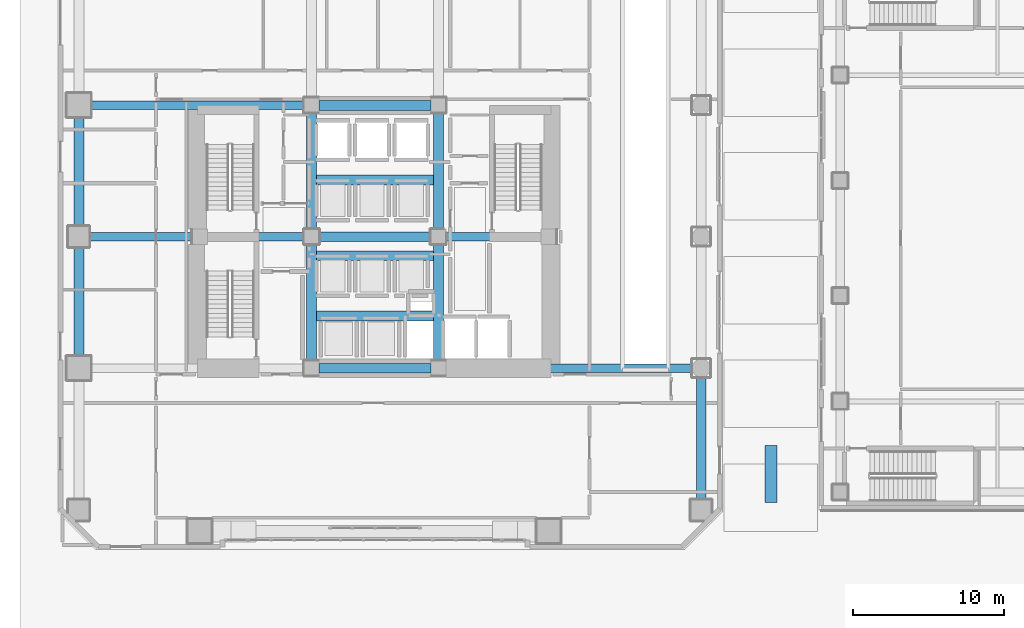
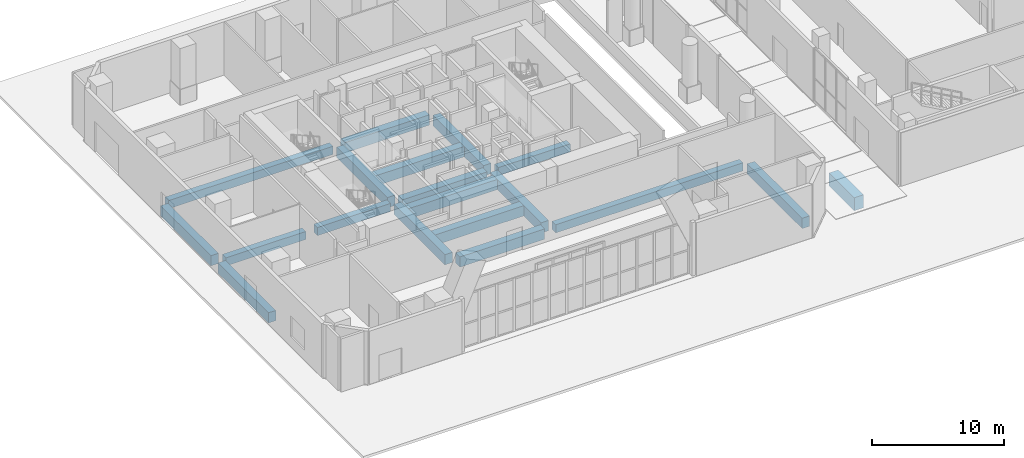
# One storey, part 7 of 30: 19 beams.
"""IFC4 building model written with IfcOpenShell, lengths in metres."""

from ifc_helpers import new_model, si_unit, direction, frame, origin, origin_2d, place, context, subcontext, project, spatial, rectangle, extrude, material, material_profile, profile_set, type_object, element, save


model = new_model("IFC4")

# Units and contexts
model_context = context("Model", 3, precision=1e-05, world=origin(), true_north=direction((0.0, 1.0)))
body_context = subcontext(model_context, "Body", "Model", "MODEL_VIEW")
ifc_project = project(units=[si_unit("LENGTHUNIT", "METRE"), si_unit("AREAUNIT", "SQUARE_METRE"), si_unit("VOLUMEUNIT", "CUBIC_METRE"), si_unit("PLANEANGLEUNIT", "RADIAN"), si_unit("MASSUNIT", "GRAM", prefix="KILO")], contexts=[model_context])

# Site, building, storey
site_placement = place(None, origin())
site = spatial("IfcSite", under=ifc_project, at=site_placement, CompositionType="ELEMENT")
building_placement = place(site_placement, origin())
building = spatial("IfcBuilding", under=site, at=building_placement, Name="Solanera Arch Residences", CompositionType="ELEMENT")
storey_placement = place(building_placement, origin())
storey = spatial("IfcBuildingStorey", under=building, at=storey_placement, Name="L00", CompositionType="ELEMENT", Elevation=0.0)

# Beams
ifc_material_1 = material(Name="Concrete C40/50 (f'c = 45 MPa)", Category="concrete")
ifc_material_profile_1 = material_profile(ifc_material_1, rectangle(XDim=0.550048828125, YDim=0.75, at=origin_2d()))
ifc_profile_set_1 = profile_set([ifc_material_profile_1], Name="Concrete C40/50 (f'c = 45 MPa)")
beam_type_1 = type_object("IfcBeamType", Name="Primary Beam RC-BM-550X750", PredefinedType="BEAM", material=ifc_profile_set_1)
beam_1_placement = place(storey_placement, frame((29.7041015625, 22.0, -0.794921875), z_axis=(1.0, 0.0, 0.0), x_axis=(0.0, 1.0, 0.0)))
element("IfcBeam", 1, at=beam_1_placement, inside=storey, type_object=beam_type_1, Name="BM-L00-POD-RE-22", PredefinedType="BEAM", context=body_context, shape_type="SweptSolid", body=[
    extrude(rectangle(XDim=0.550048828125, YDim=0.75, at=origin_2d()), origin(), (0.0, 0.0, 1.0), 16.35595703125),
])
beam_2_placement = place(storey_placement, frame((5.93994140625, 30.699951171875, -0.794921875), z_axis=(1.0, 0.0, 0.0), x_axis=(0.0, 1.0, 0.0)))
element("IfcBeam", 2, at=beam_2_placement, inside=storey, type_object=beam_type_1, Name="BM-L00-POD-RW-30", PredefinedType="BEAM", context=body_context, shape_type="SweptSolid", body=[
    extrude(rectangle(XDim=0.550048828125, YDim=0.75, at=origin_2d()), origin(), (0.0, 0.0, 1.0), 6.9560546875),
])
beam_3_placement = place(storey_placement, frame((5.93994140625, 39.39990234375, -0.794921875), z_axis=(1.0, 0.0, 0.0), x_axis=(0.0, 1.0, 0.0)))
element("IfcBeam", 3, at=beam_3_placement, inside=storey, type_object=beam_type_1, Name="BM-L00-POD-RW-39", PredefinedType="BEAM", context=body_context, shape_type="SweptSolid", body=[
    extrude(rectangle(XDim=0.550048828125, YDim=0.75, at=origin_2d()), origin(), (0.0, 0.0, 1.0), 14.35595703125),
])
beam_4_placement = place(storey_placement, frame((13.904052734375, 30.699951171875, -0.794921875), z_axis=(1.0, 0.0, 0.0), x_axis=(0.0, 1.0, 0.0)))
element("IfcBeam", 4, at=beam_4_placement, inside=storey, type_object=beam_type_1, Name="BM-L00-HCCW", PredefinedType="BEAM", context=body_context, shape_type="SweptSolid", body=[
    extrude(rectangle(XDim=0.550048828125, YDim=0.75, at=origin_2d()), origin(), (0.0, 0.0, 1.0), 6.391845703125),
])
beam_5_placement = place(storey_placement, frame((29.7041015625, 30.699951171875, -0.794921875), z_axis=(1.0, 0.0, 0.0), x_axis=(0.0, 1.0, 0.0)))
element("IfcBeam", 5, at=beam_5_placement, inside=storey, type_object=beam_type_1, Name="BM-L00-HCCE", PredefinedType="BEAM", context=body_context, shape_type="SweptSolid", body=[
    extrude(rectangle(XDim=0.550048828125, YDim=0.75, at=origin_2d()), origin(), (0.0, 0.0, 1.0), 6.2919921875),
])
ifc_material_2 = material(Name="Concrete C40/50 (f'c = 45 MPa)", Category="concrete")
ifc_material_profile_2 = material_profile(ifc_material_2, rectangle(XDim=0.64990234375, YDim=0.949951171875, at=origin_2d()))
ifc_profile_set_2 = profile_set([ifc_material_profile_2], Name="Concrete C40/50 (f'c = 45 MPa)")
beam_type_2 = type_object("IfcBeamType", Name="Primary Beam RC-BM-650X950", PredefinedType="BEAM", material=ifc_profile_set_2)
beam_6_placement = place(storey_placement, frame((5.39990234375, 22.5400390625, -0.89501953125), z_axis=(0.0, 1.0, 0.0), x_axis=(-1.0, 0.0, 0.0)))
element("IfcBeam", 6, at=beam_6_placement, inside=storey, type_object=beam_type_2, Name="BM-L00-POD-W2", PredefinedType="BEAM", context=body_context, shape_type="SweptSolid", body=[
    extrude(rectangle(XDim=0.64990234375, YDim=0.949951171875, at=origin_2d()), origin(), (0.0, 0.0, 1.0), 7.619873046875),
])
beam_7_placement = place(storey_placement, frame((5.39990234375, 31.239990234375, -0.89501953125), z_axis=(0.0, 1.0, 0.0), x_axis=(-1.0, 0.0, 0.0)))
element("IfcBeam", 7, at=beam_7_placement, inside=storey, type_object=beam_type_2, Name="BM-L00-POD-W3", PredefinedType="BEAM", context=body_context, shape_type="SweptSolid", body=[
    extrude(rectangle(XDim=0.64990234375, YDim=0.949951171875, at=origin_2d()), origin(), (0.0, 0.0, 1.0), 7.6201171875),
])
beam_8_placement = place(storey_placement, frame((46.60009765625, 13.139892578125, -0.89501953125), z_axis=(0.0, 1.0, 0.0), x_axis=(-1.0, 0.0, 0.0)))
element("IfcBeam", 8, at=beam_8_placement, inside=storey, type_object=beam_type_2, Name="BM-L00-POD-E1", PredefinedType="BEAM", context=body_context, shape_type="SweptSolid", body=[
    extrude(rectangle(XDim=0.64990234375, YDim=0.949951171875, at=origin_2d()), origin(), (0.0, 0.0, 1.0), 8.320068359375),
])
beam_9_placement = place(storey_placement, frame((20.800048828125, 22.50390625, -0.89501953125), z_axis=(0.0, 1.0, 0.0), x_axis=(-1.0, 0.0, 0.0)))
element("IfcBeam", 9, at=beam_9_placement, inside=storey, type_object=beam_type_2, Name="BM-L00-HCNS-20", PredefinedType="BEAM", context=body_context, shape_type="SweptSolid", body=[
    extrude(rectangle(XDim=0.64990234375, YDim=0.949951171875, at=origin_2d()), origin(), (0.0, 0.0, 1.0), 7.692138671875),
])
beam_10_placement = place(storey_placement, frame((20.800048828125, 31.2041015625, -0.89501953125), z_axis=(0.0, 1.0, 0.0), x_axis=(-1.0, 0.0, 0.0)))
element("IfcBeam", 10, at=beam_10_placement, inside=storey, type_object=beam_type_2, Name="BM-L00-HCNN-20", PredefinedType="BEAM", context=body_context, shape_type="SweptSolid", body=[
    extrude(rectangle(XDim=0.64990234375, YDim=0.949951171875, at=origin_2d()), origin(), (0.0, 0.0, 1.0), 7.69189453125),
])
beam_11_placement = place(storey_placement, frame((29.199951171875, 22.50390625, -0.89501953125), z_axis=(0.0, 1.0, 0.0), x_axis=(-1.0, 0.0, 0.0)))
element("IfcBeam", 11, at=beam_11_placement, inside=storey, type_object=beam_type_2, Name="BM-L00-HCNS-29", PredefinedType="BEAM", context=body_context, shape_type="SweptSolid", body=[
    extrude(rectangle(XDim=0.64990234375, YDim=0.949951171875, at=origin_2d()), origin(), (0.0, 0.0, 1.0), 7.692138671875),
])
beam_12_placement = place(storey_placement, frame((29.199951171875, 31.2041015625, -0.89501953125), z_axis=(0.0, 1.0, 0.0), x_axis=(-1.0, 0.0, 0.0)))
element("IfcBeam", 12, at=beam_12_placement, inside=storey, type_object=beam_type_2, Name="BM-L00-HCNN-29", PredefinedType="BEAM", context=body_context, shape_type="SweptSolid", body=[
    extrude(rectangle(XDim=0.64990234375, YDim=0.949951171875, at=origin_2d()), origin(), (0.0, 0.0, 1.0), 7.69189453125),
])
for number, where, z_axis, x_axis, name in (
    (13, (21.303955078125, 22.0, -0.89501953125), (1.0, 0.0, 0.0), (0.0, 1.0, 0.0), "BM-L00-HCEW-22"),
    (14, (21.303955078125, 30.699951171875, -0.89501953125), (1.0, 0.0, 0.0), (0.0, 1.0, 0.0), "BM-L00-HCEW-30"),
    (15, (21.303955078125, 39.39990234375, -0.89501953125), (1.0, 0.0, 0.0), (0.0, 1.0, 0.0), "BM-L00-HCEW-39"),
):
    element("IfcBeam", number, at=place(storey_placement, frame(where, z_axis=z_axis, x_axis=x_axis)), inside=storey, type_object=beam_type_2, Name=name, PredefinedType="BEAM", context=body_context, shape_type="SweptSolid", body=[
        extrude(rectangle(XDim=0.64990234375, YDim=0.949951171875, at=origin_2d()), origin(), (0.0, 0.0, 1.0), 7.39208984375),
    ])
for number, where, z_axis, x_axis, name in (
    (16, (20.800048828125, 25.449951171875, -0.89501953125), (1.0, 0.0, 0.0), (0.0, 1.0, 0.0), "BM-L00-HST-254"),
    (17, (20.800048828125, 29.449951171875, -0.89501953125), (1.0, 0.0, 0.0), (0.0, 1.0, 0.0), "BM-L00-HST-294"),
    (18, (20.800048828125, 34.449951171875, -0.89501953125), (1.0, 0.0, 0.0), (0.0, 1.0, 0.0), "BM-L00-HST-344"),
):
    element("IfcBeam", number, at=place(storey_placement, frame(where, z_axis=z_axis, x_axis=x_axis)), inside=storey, type_object=beam_type_2, Name=name, PredefinedType="BEAM", context=body_context, shape_type="SweptSolid", body=[
        extrude(rectangle(XDim=0.64990234375, YDim=0.949951171875, at=origin_2d()), origin(), (0.0, 0.0, 1.0), 8.39990234375),
    ])
ifc_material_3 = material(Name="Concrete C55/67 (f'c = 60 MPa)", Category="concrete")
ifc_material_profile_3 = material_profile(ifc_material_3, rectangle(XDim=0.800048828125, YDim=1.199951171875, at=origin_2d()))
ifc_profile_set_3 = profile_set([ifc_material_profile_3], Name="Concrete C55/67 (f'c = 60 MPa)")
beam_type_3 = type_object("IfcBeamType", Name="Tie Beam RC-BM-800X1200", PredefinedType="BEAM", material=ifc_profile_set_3)
beam_13_placement = place(storey_placement, frame((51.199951171875, 13.10009765625, -0.679931640625), z_axis=(0.0, 1.0, 0.0), x_axis=(-1.0, 0.0, 0.0)))
element("IfcBeam", 19, at=beam_13_placement, inside=storey, type_object=beam_type_3, Name="L00 Paseo Accessible Ramp Landing Grade Beam", PredefinedType="BEAM", context=body_context, shape_type="SweptSolid", body=[
    extrude(rectangle(XDim=0.800048828125, YDim=1.199951171875, at=origin_2d()), origin(), (0.0, 0.0, 1.0), 3.7998046875),
])

save(model, "model.ifc")
